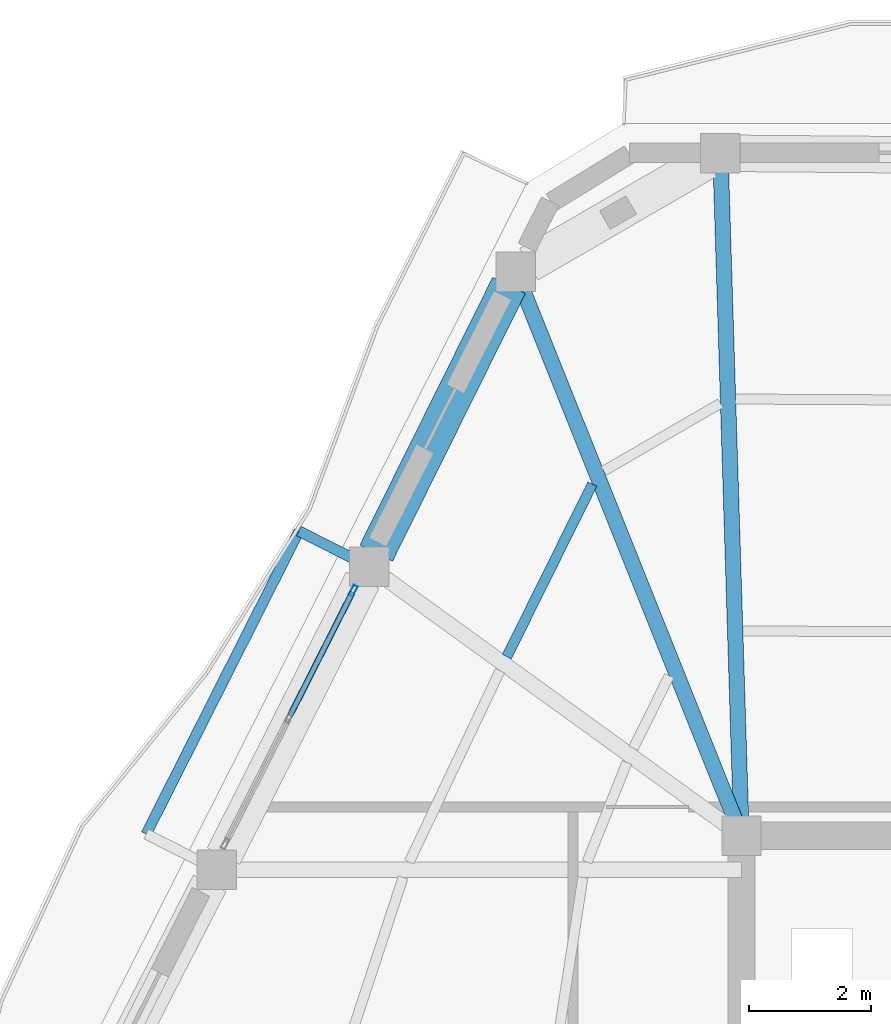
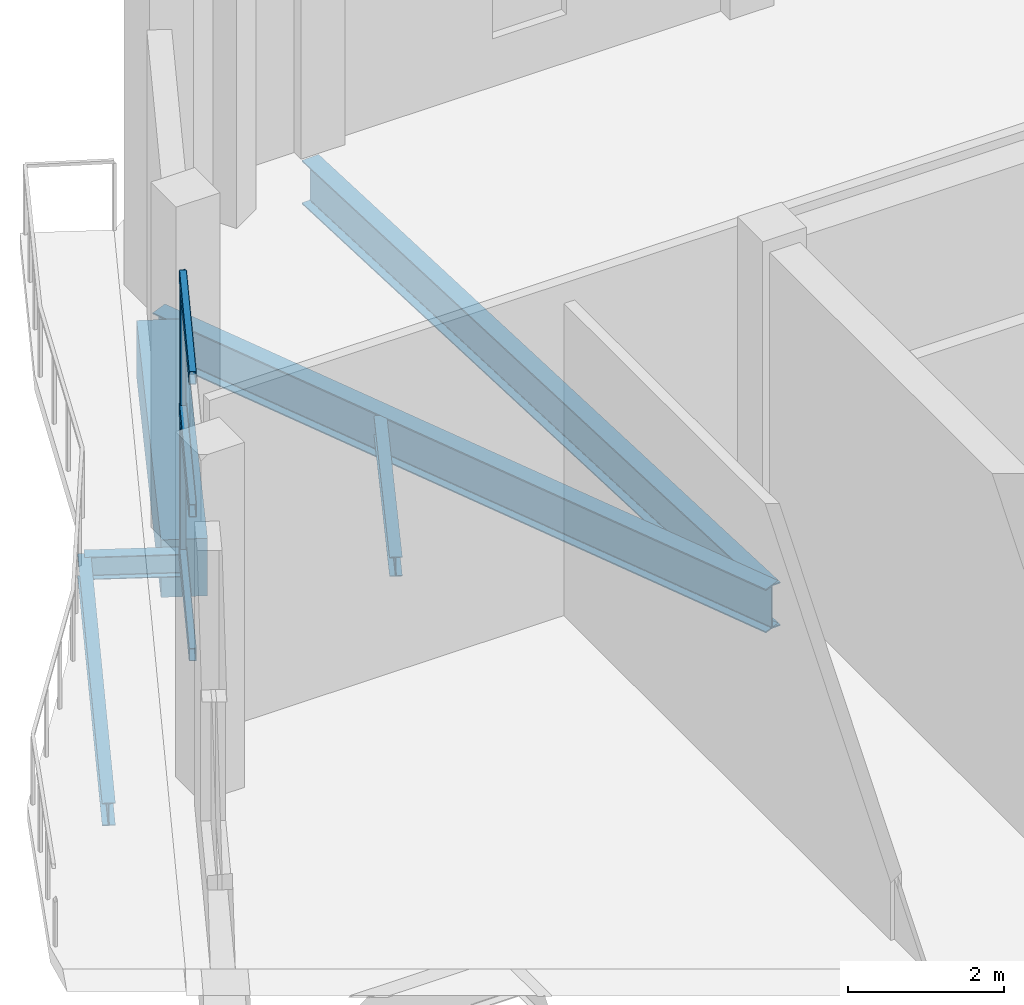
# One storey, part 13 of 23: 6 beams, 4 members, 1 element without a shape of its own.
"""IFC4 building model written with IfcOpenShell, lengths in metres."""

from ifc_helpers import new_model, si_unit, direction, frame, origin, origin_2d, place, context, subcontext, project, spatial, rectangle, hollow_rectangle, i_section, extrude, material, layer, layer_set, material_profile, profile_set, type_object, element, aggregate, save


model = new_model("IFC4")

# Units and contexts
model_context = context("Model", 3, precision=1e-05, world=origin(), true_north=direction((0.0, 1.0)))
body_context = subcontext(model_context, "Body", "Model", "MODEL_VIEW")
ifc_project = project(units=[si_unit("LENGTHUNIT", "METRE"), si_unit("AREAUNIT", "SQUARE_METRE"), si_unit("VOLUMEUNIT", "CUBIC_METRE"), si_unit("PLANEANGLEUNIT", "RADIAN"), si_unit("MASSUNIT", "GRAM", prefix="KILO")], contexts=[model_context])

# Site, building, storey
site_placement = place(None, origin())
site = spatial("IfcSite", under=ifc_project, at=site_placement, CompositionType="ELEMENT")
building_placement = place(site_placement, origin())
building = spatial("IfcBuilding", under=site, at=building_placement, Name="Cinnabar Lancet Tower", CompositionType="ELEMENT")
storey_placement = place(building_placement, frame((0.0, 0.0, 278.10009765625)))
storey = spatial("IfcBuildingStorey", under=building, at=storey_placement, Name="L74", CompositionType="ELEMENT", Elevation=278.10009765625)

# Curtain wall, members
ifc_material_1 = material(Name="Thermally broken bronze-anodized aluminium and low-E glass", Category="aluminium")
ifc_layer = layer(ifc_material_1, 0.179931640625)
ifc_layer_set = layer_set([ifc_layer], Name="Thermally broken bronze-anodized aluminium and low-E glass")
curtain_wall_type = type_object("IfcCurtainWallType", Name="ENV-CW-SYS-04", PredefinedType="NOTDEFINED", material=ifc_layer_set)
curtain_wall_placement = place(storey_placement, origin())
curtain_wall = element("IfcCurtainWall", 1, at=curtain_wall_placement, inside=storey, type_object=curtain_wall_type, Name="L74 Face 5 Feature Curtain Wall", PredefinedType="NOTDEFINED")
ifc_material_2 = material(Name="Anodized architectural aluminium 6063-T6", Category="aluminium")
ifc_material_profile_1 = material_profile(ifc_material_2, hollow_rectangle(XDim=0.074951171875, YDim=0.179931640625, WallThickness=0.00390625, InnerFilletRadius=0.001953125, OuterFilletRadius=0.006103515625, at=origin_2d()), Name="CW-MUL 180x75x4")
ifc_profile_set_1 = profile_set([ifc_material_profile_1], Name="Anodized architectural aluminium 6063-T6")
member_type_1 = type_object("IfcMemberType", Name="ENV-CW-MUL-180", PredefinedType="MULLION", material=ifc_profile_set_1)
member_1_placement = place(storey_placement, frame((16.784423828125, 37.16015625, 0.0), z_axis=(0.0, 0.0, 1.0), x_axis=(0.892344822897, -0.451354314314, 0.0)))
member_1 = element("IfcMember", 2, at=member_1_placement, type_object=member_type_1, Name="CW-04 mullion 1", PredefinedType="MULLION", context=body_context, shape_type="SweptSolid", body=[
    extrude(hollow_rectangle(XDim=0.074951171875, YDim=0.179931640625, WallThickness=0.00390625, InnerFilletRadius=0.001953125, OuterFilletRadius=0.006103515625, at=origin_2d()), origin(), (0.0, 0.0, 1.0), 4.389892578125),
])
ifc_material_3 = material(Name="Anodized architectural aluminium 6063-T6", Category="aluminium")
ifc_material_profile_2 = material_profile(ifc_material_3, hollow_rectangle(XDim=0.10009765625, YDim=0.199951171875, WallThickness=0.008056640625, InnerFilletRadius=0.00390625, OuterFilletRadius=0.011962890625, at=origin_2d()), Name="RHS 200x100x8")
ifc_profile_set_2 = profile_set([ifc_material_profile_2], Name="Anodized architectural aluminium 6063-T6")
member_type_2 = type_object("IfcMemberType", Name="ENV-CW-TRN-140", PredefinedType="USERDEFINED", material=ifc_profile_set_2)
member_2_placement = place(storey_placement, frame((16.77099609375, 37.133544921875, 0.02978515625), z_axis=(-0.451331377237, -0.892356424262, 0.0), x_axis=(0.892356424262, -0.451331377237, 0.0)))
member_2 = element("IfcMember", 3, at=member_2_placement, type_object=member_type_2, Name="CW-04 transom 1.1", ObjectType="TRANSOM", PredefinedType="USERDEFINED", context=body_context, shape_type="SweptSolid", body=[
    extrude(hollow_rectangle(XDim=0.10009765625, YDim=0.199951171875, WallThickness=0.008056640625, InnerFilletRadius=0.00390625, OuterFilletRadius=0.011962890625, at=origin_2d()), origin(), (0.0, 0.0, 1.0), 2.274169921875),
])
member_3_placement = place(storey_placement, frame((16.77099609375, 37.133544921875, 2.282958984375), z_axis=(-0.451331377237, -0.892356424262, 0.0), x_axis=(0.892356424262, -0.451331377237, 0.0)))
member_3 = element("IfcMember", 4, at=member_3_placement, type_object=member_type_2, Name="CW-04 transom 1.2", ObjectType="TRANSOM", PredefinedType="USERDEFINED", context=body_context, shape_type="SweptSolid", body=[
    extrude(hollow_rectangle(XDim=0.10009765625, YDim=0.199951171875, WallThickness=0.008056640625, InnerFilletRadius=0.00390625, OuterFilletRadius=0.011962890625, at=origin_2d()), origin(), (0.0, 0.0, 1.0), 2.274169921875),
])
member_4_placement = place(storey_placement, frame((16.77099609375, 37.133544921875, 4.35986328125), z_axis=(-0.451331377237, -0.892356424262, 0.0), x_axis=(0.892356424262, -0.451331377237, 0.0)))
member_4 = element("IfcMember", 5, at=member_4_placement, type_object=member_type_2, Name="CW-04 transom 1.3", ObjectType="TRANSOM", PredefinedType="USERDEFINED", context=body_context, shape_type="SweptSolid", body=[
    extrude(hollow_rectangle(XDim=0.10009765625, YDim=0.199951171875, WallThickness=0.008056640625, InnerFilletRadius=0.00390625, OuterFilletRadius=0.011962890625, at=origin_2d()), origin(), (0.0, 0.0, 1.0), 2.274169921875),
])
aggregate(curtain_wall, [member_1, member_2, member_3, member_4])

# Beams
ifc_material_4 = material(Name="Structural steel S355", Category="steel")
ifc_material_profile_3 = material_profile(ifc_material_4, i_section(OverallWidth=0.1650390625, OverallDepth=0.303466796875, WebThickness=0.006103515625, FlangeThickness=0.01025390625, FilletRadius=0.0087890625, at=origin_2d()), Name="UKB 305x165x40")
ifc_profile_set_3 = profile_set([ifc_material_profile_3], Name="Structural steel S355")
beam_type_1 = type_object("IfcBeamType", Name="STR-BM-JST-305", PredefinedType="JOIST", material=ifc_profile_set_3)
beam_1_placement = place(storey_placement, frame((20.720947265625, 38.9140625, -0.43212890625), z_axis=(-0.444283719342, -0.895886140493, 0.0), x_axis=(0.895886140493, -0.444283719342, 0.0)))
element("IfcBeam", 6, at=beam_1_placement, inside=storey, type_object=beam_type_1, Name="L74 Secondary Floor Joist 37", PredefinedType="JOIST", context=body_context, shape_type="SweptSolid", body=[
    extrude(i_section(OverallWidth=0.1650390625, OverallDepth=0.303466796875, WebThickness=0.006103515625, FlangeThickness=0.01025390625, FilletRadius=0.0087890625, at=origin_2d()), origin(), (0.0, 0.0, 1.0), 3.1689453125),
])
ifc_material_5 = material(Name="Concrete C60/75", Category="concrete")
ifc_material_profile_4 = material_profile(ifc_material_5, rectangle(XDim=0.60009765625, YDim=0.89990234375, at=origin_2d()), Name="RC-SB 600x900")
ifc_profile_set_4 = profile_set([ifc_material_profile_4], Name="Concrete C60/75")
beam_type_2 = type_object("IfcBeamType", Name="STR-BM-RCSB-900", PredefinedType="SPANDREL", material=ifc_profile_set_4)
beam_2_placement = place(storey_placement, frame((19.347900390625, 42.18505859375, -0.72998046875), z_axis=(-0.44433276947, -0.895861814107, 0.0), x_axis=(0.895861814107, -0.44433276947, 0.0)))
element("IfcBeam", 7, at=beam_2_placement, inside=storey, type_object=beam_type_2, Name="L74 Perimeter Spandrel 17", PredefinedType="SPANDREL", context=body_context, shape_type="SweptSolid", body=[
    extrude(rectangle(XDim=0.60009765625, YDim=0.89990234375, at=origin_2d()), origin(), (0.0, 0.0, 1.0), 4.919189453125),
])
ifc_material_6 = material(Name="Structural steel S355", Category="steel")
ifc_material_profile_5 = material_profile(ifc_material_6, i_section(OverallWidth=0.253662109375, OverallDepth=0.68359375, WebThickness=0.012451171875, FlangeThickness=0.01904296875, FilletRadius=0.01513671875, at=origin_2d()), Name="UKB 686x254x140")
ifc_profile_set_5 = profile_set([ifc_material_profile_5], Name="Structural steel S355")
beam_type_3 = type_object("IfcBeamType", Name="STR-BM-UKB686-140", PredefinedType="BEAM", material=ifc_profile_set_5)
beam_3_placement = place(storey_placement, frame((22.827880859375, 44.361083984375, -0.6220703125), z_axis=(0.030882856862, -0.999523010817, 0.0), x_axis=(0.999523010817, 0.030882856862, 0.0)))
element("IfcBeam", 8, at=beam_3_placement, inside=storey, type_object=beam_type_3, Name="L74 Primary Floor Girder 16", PredefinedType="BEAM", context=body_context, shape_type="SweptSolid", body=[
    extrude(i_section(OverallWidth=0.253662109375, OverallDepth=0.68359375, WebThickness=0.012451171875, FlangeThickness=0.01904296875, FilletRadius=0.01513671875, at=origin_2d()), origin(), (0.0, 0.0, 1.0), 11.241455078125),
])
beam_4_placement = place(storey_placement, frame((19.458984375, 42.408935546875, -0.6220703125), z_axis=(0.371605341166, -0.928390796172, 0.0), x_axis=(0.928390796172, 0.371605341166, 0.0)))
element("IfcBeam", 9, at=beam_4_placement, inside=storey, type_object=beam_type_3, Name="L74 Primary Floor Girder 17", PredefinedType="BEAM", context=body_context, shape_type="SweptSolid", body=[
    extrude(i_section(OverallWidth=0.253662109375, OverallDepth=0.68359375, WebThickness=0.012451171875, FlangeThickness=0.01904296875, FilletRadius=0.01513671875, at=origin_2d()), origin(), (0.0, 0.0, 1.0), 10.0),
])
ifc_material_7 = material(Name="Structural steel S355", Category="steel")
ifc_material_profile_6 = material_profile(ifc_material_7, i_section(OverallWidth=0.17138671875, OverallDepth=0.35498046875, WebThickness=0.00732421875, FlangeThickness=0.011474609375, FilletRadius=0.01025390625, at=origin_2d()), Name="UKB 356x171x51")
ifc_profile_set_6 = profile_set([ifc_material_profile_6], Name="Structural steel S355")
beam_type_4 = type_object("IfcBeamType", Name="STR-BM-WAV-OUT", PredefinedType="BEAM", material=ifc_profile_set_6)
beam_5_placement = place(storey_placement, frame((17.051025390625, 37.553955078125, -0.4580078125), z_axis=(-0.892200264127, 0.451639998995, 0.0), x_axis=(-0.451639998995, -0.892200264127, 0.0)))
element("IfcBeam", 10, at=beam_5_placement, inside=storey, type_object=beam_type_4, Name="L74 Face 5 Balcony Outlooker A", PredefinedType="BEAM", context=body_context, shape_type="SweptSolid", body=[
    extrude(i_section(OverallWidth=0.17138671875, OverallDepth=0.35498046875, WebThickness=0.00732421875, FlangeThickness=0.011474609375, FilletRadius=0.01025390625, at=origin_2d()), origin(), (0.0, 0.0, 1.0), 1.300048828125),
])
ifc_material_8 = material(Name="Structural steel S355", Category="steel")
ifc_material_profile_7 = material_profile(ifc_material_8, i_section(OverallWidth=0.17138671875, OverallDepth=0.35498046875, WebThickness=0.00732421875, FlangeThickness=0.011474609375, FilletRadius=0.01025390625, at=origin_2d()), Name="UKB 356x171x51")
ifc_profile_set_7 = profile_set([ifc_material_profile_7], Name="Structural steel S355")
beam_type_5 = type_object("IfcBeamType", Name="STR-BM-WAV-TRIM", PredefinedType="SPANDREL", material=ifc_profile_set_7)
beam_6_placement = place(storey_placement, frame((15.89111328125, 38.14111328125, -0.4580078125), z_axis=(-0.450305622338, -0.892874485295, 0.0), x_axis=(0.892874485295, -0.450305622338, 0.0)))
element("IfcBeam", 11, at=beam_6_placement, inside=storey, type_object=beam_type_5, Name="L74 Face 5 Balcony Edge Trimmer", PredefinedType="SPANDREL", context=body_context, shape_type="SweptSolid", body=[
    extrude(i_section(OverallWidth=0.17138671875, OverallDepth=0.35498046875, WebThickness=0.00732421875, FlangeThickness=0.011474609375, FilletRadius=0.01025390625, at=origin_2d()), origin(), (0.0, 0.0, 1.0), 5.58544921875),
])

save(model, "model.ifc")
